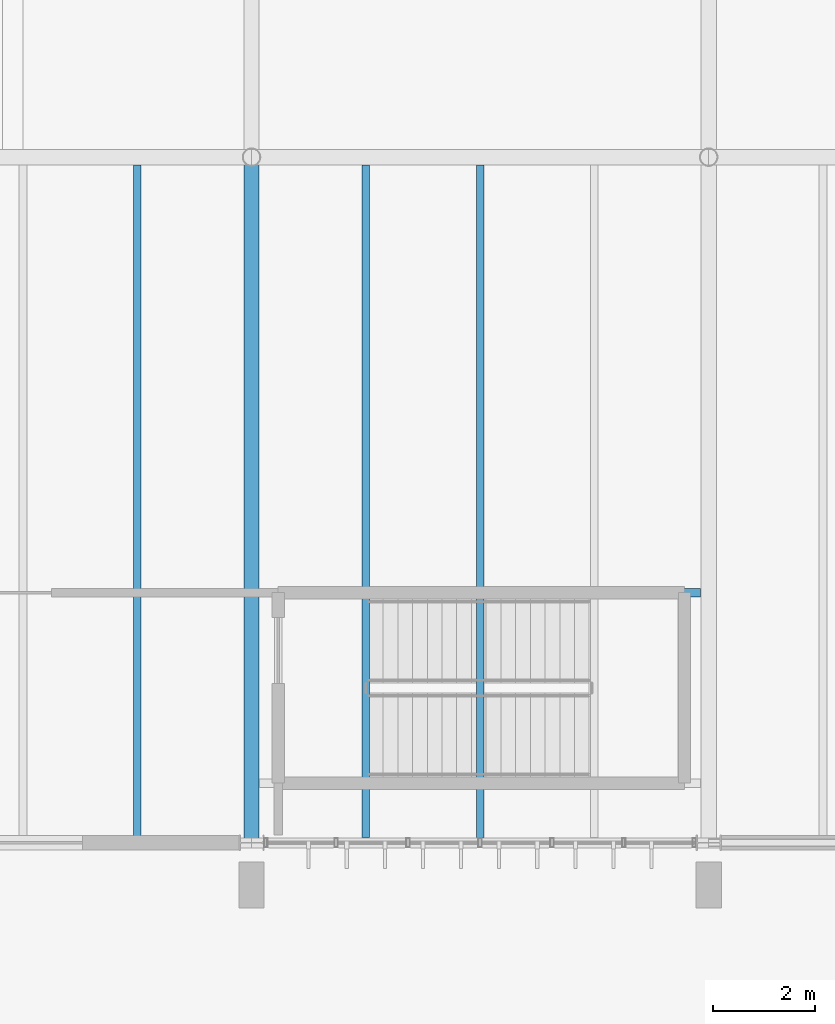
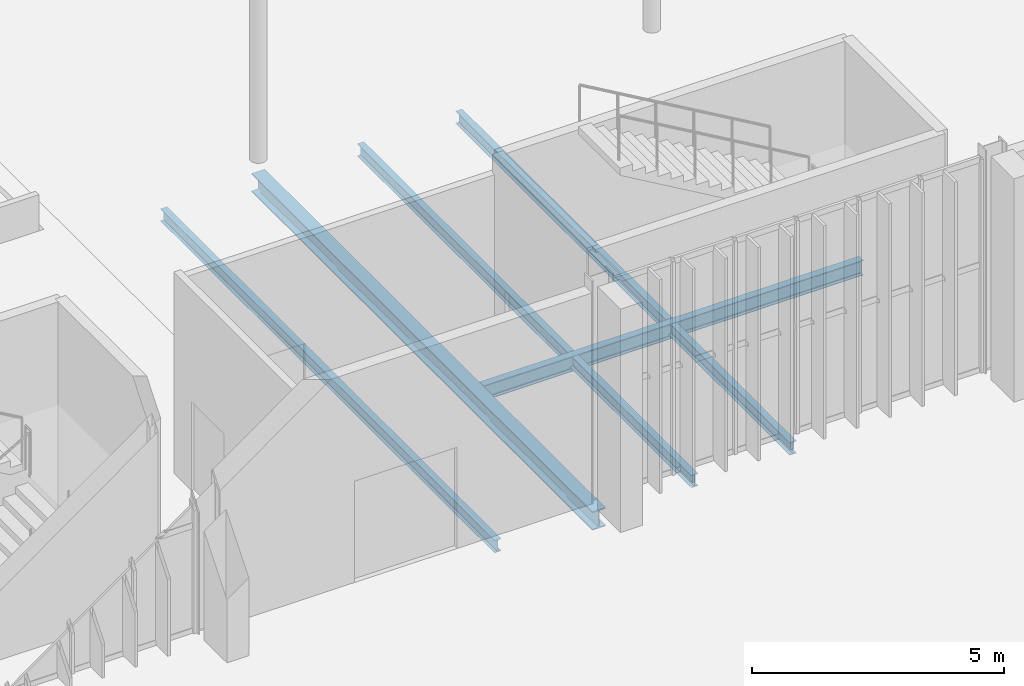
# One storey, part 42 of 158: 5 beams.
"""IFC4 building model written with IfcOpenShell, lengths in metres."""

from ifc_helpers import new_model, si_unit, derived_unit, direction, frame, origin, origin_2d, place, context, subcontext, project, spatial, i_section, extrude, material, material_profile, profile_set, type_object, element, save


model = new_model("IFC4")

# Units and contexts
model_context = context("Model", 3, precision=1e-05, world=origin(), true_north=direction((0.0, 1.0)))
body_context = subcontext(model_context, "Body", "Model", "MODEL_VIEW")
ifc_project = project(units=[si_unit("LENGTHUNIT", "METRE"), si_unit("AREAUNIT", "SQUARE_METRE"), si_unit("VOLUMEUNIT", "CUBIC_METRE"), si_unit("PLANEANGLEUNIT", "RADIAN"), si_unit("MASSUNIT", "GRAM", prefix="KILO"), si_unit("THERMODYNAMICTEMPERATUREUNIT", "KELVIN"), si_unit("TIMEUNIT", "SECOND"), derived_unit("THERMALTRANSMITTANCEUNIT", [(si_unit("MASSUNIT", "GRAM", prefix="KILO"), 1), (si_unit("THERMODYNAMICTEMPERATUREUNIT", "KELVIN"), -1), (si_unit("TIMEUNIT", "SECOND"), -3)])], contexts=[model_context])

# Site, building, storey
site_placement = place(None, origin())
site = spatial("IfcSite", under=ifc_project, at=site_placement, CompositionType="ELEMENT")
building_placement = place(site_placement, origin())
building = spatial("IfcBuilding", under=site, at=building_placement, Name="Cambertide Market Hall", CompositionType="ELEMENT")
storey_placement = place(building_placement, origin())
storey = spatial("IfcBuildingStorey", under=building, at=storey_placement, Name="L01", CompositionType="ELEMENT", Elevation=0.0)

# Beams
ifc_material_1 = material(Name="Steel S355", Category="steel")
ifc_material_profile_1 = material_profile(ifc_material_1, i_section(OverallWidth=0.300048828125, OverallDepth=0.449951171875, WebThickness=0.013916015625, FlangeThickness=0.02587890625, FilletRadius=0.027099609375, at=origin_2d()), Name="HEB 450")
ifc_profile_set_1 = profile_set([ifc_material_profile_1], Name="Steel S355")
beam_type_1 = type_object("IfcBeamType", Name="Steel Girder HEB 450", PredefinedType="BEAM", material=ifc_profile_set_1)
beam_1_placement = place(storey_placement, frame((78.0, 52.0, -0.534912109375), z_axis=(0.0, 1.0, 0.0), x_axis=(-1.0, 0.0, 0.0)))
element("IfcBeam", 1, at=beam_1_placement, inside=storey, type_object=beam_type_1, Name="Level 1 Beam BM-V1TS-L01-5", PredefinedType="BEAM", context=body_context, shape_type="SweptSolid", body=[
    extrude(i_section(OverallWidth=0.300048828125, OverallDepth=0.449951171875, WebThickness=0.013916015625, FlangeThickness=0.02587890625, FilletRadius=0.027099609375, at=origin_2d()), origin(), (0.0, 0.0, 1.0), 13.5),
])
ifc_material_2 = material(Name="Steel S355", Category="steel")
ifc_material_profile_2 = material_profile(ifc_material_2, i_section(OverallWidth=0.169921875, OverallDepth=0.360107421875, WebThickness=0.008056640625, FlangeThickness=0.0126953125, FilletRadius=0.01806640625, at=origin_2d()), Name="IPE 360")
ifc_profile_set_2 = profile_set([ifc_material_profile_2], Name="Steel S355")
beam_type_2 = type_object("IfcBeamType", Name="Steel Girder IPE 360", PredefinedType="BEAM", material=ifc_profile_set_2)
beam_2_placement = place(storey_placement, frame((78.157958984375, 56.925048828125, -0.489990234375), z_axis=(1.0, 0.0, 0.0), x_axis=(0.0, 1.0, 0.0)))
element("IfcBeam", 2, at=beam_2_placement, inside=storey, type_object=beam_type_2, Name="Level 1 Beam BM-ST02B-SHWR", PredefinedType="BEAM", context=body_context, shape_type="SweptSolid", body=[
    extrude(i_section(OverallWidth=0.169921875, OverallDepth=0.360107421875, WebThickness=0.008056640625, FlangeThickness=0.0126953125, FilletRadius=0.01806640625, at=origin_2d()), origin(), (0.0, 0.0, 1.0), 8.68408203125),
])
ifc_material_3 = material(Name="Steel S275", Category="steel")
ifc_material_profile_3 = material_profile(ifc_material_3, i_section(OverallWidth=0.14990234375, OverallDepth=0.300048828125, WebThickness=0.007080078125, FlangeThickness=0.0107421875, FilletRadius=0.014892578125, at=origin_2d()), Name="IPE 300")
ifc_profile_set_3 = profile_set([ifc_material_profile_3], Name="Steel S275")
beam_type_3 = type_object("IfcBeamType", Name="Steel Secondary Joist IPE 300", PredefinedType="JOIST", material=ifc_profile_set_3)
for number, where, z_axis, x_axis, name in (
    (3, (75.75, 52.10791015625, -0.4599609375), (0.0, 1.0, 0.0), (-1.0, 0.0, 0.0), "Level 1 Joist JS-V1S-L01-4-3"),
    (4, (80.25, 52.10791015625, -0.4599609375), (0.0, 1.0, 0.0), (-1.0, 0.0, 0.0), "Level 1 Joist JS-V1S-L01-5-1"),
    (5, (82.5, 52.10791015625, -0.4599609375), (0.0, 1.0, 0.0), (-1.0, 0.0, 0.0), "Level 1 Joist JS-V1S-L01-5-2"),
):
    element("IfcBeam", number, at=place(storey_placement, frame(where, z_axis=z_axis, x_axis=x_axis)), inside=storey, type_object=beam_type_3, Name=name, PredefinedType="JOIST", context=body_context, shape_type="SweptSolid", body=[
        extrude(i_section(OverallWidth=0.14990234375, OverallDepth=0.300048828125, WebThickness=0.007080078125, FlangeThickness=0.0107421875, FilletRadius=0.014892578125, at=origin_2d()), origin(), (0.0, 0.0, 1.0), 13.234130859375),
    ])

save(model, "model.ifc")
